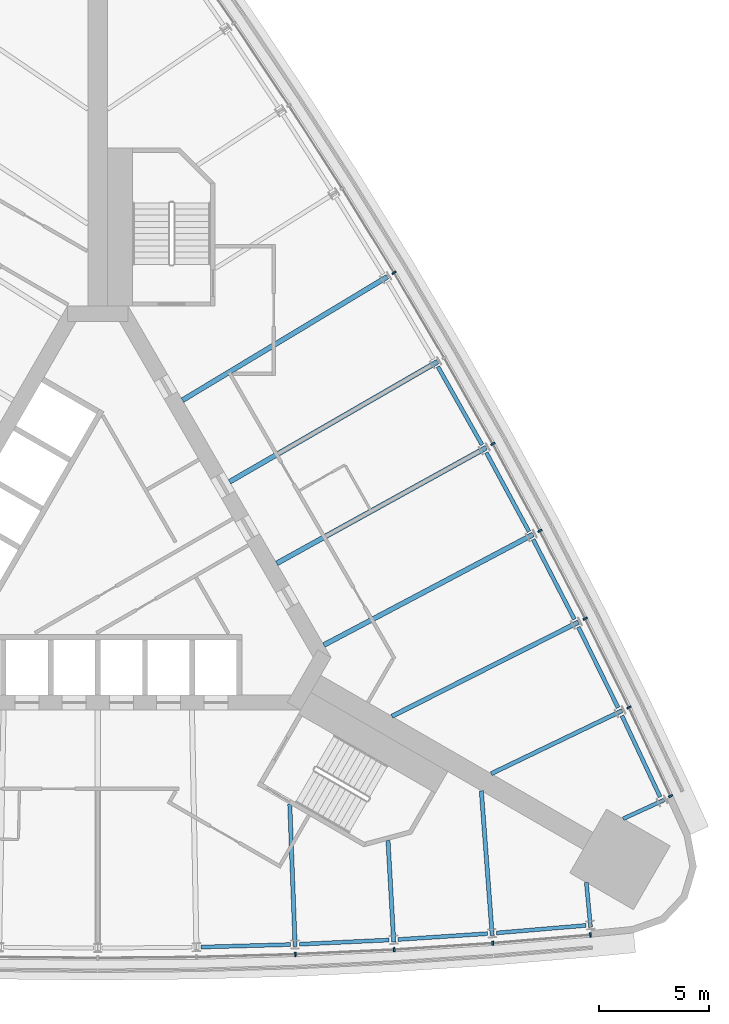
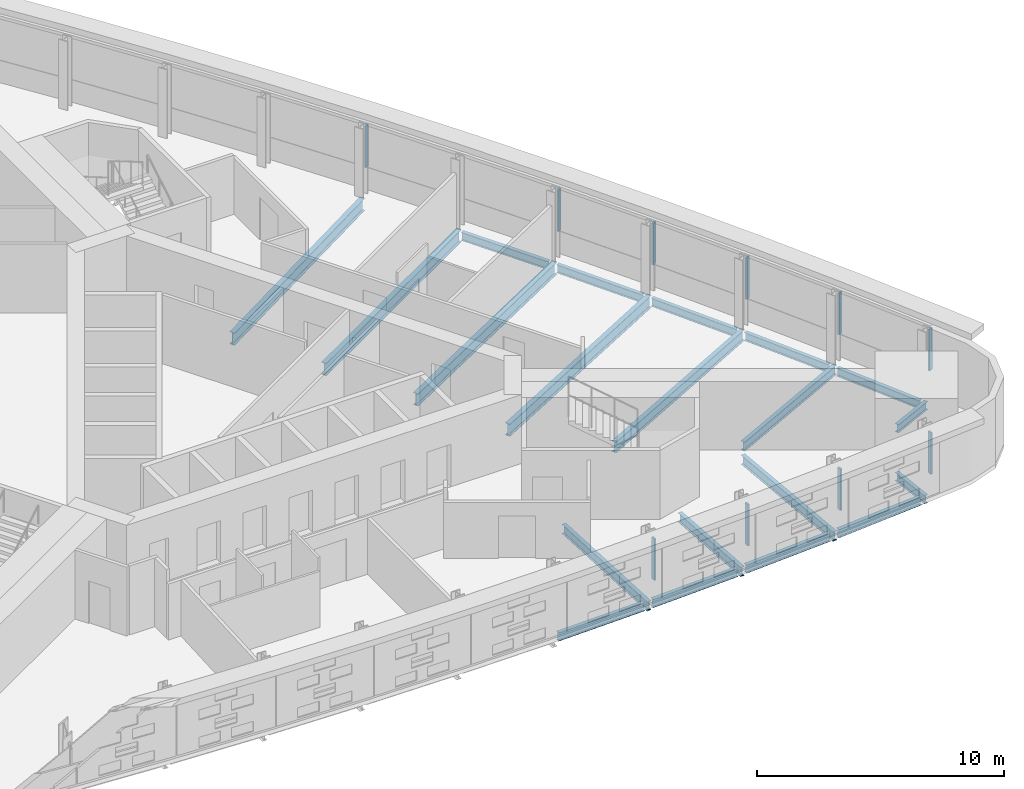
# One storey, part 6 of 14: 20 beams, 10 members, 2 elements without a shape of their own.
"""IFC4 building model written with IfcOpenShell, lengths in metres."""

from ifc_helpers import new_model, si_unit, direction, frame, origin, origin_2d, place, context, subcontext, project, spatial, rectangle, i_section, extrude, material, material_profile, profile_set, type_object, element, aggregate, save


model = new_model("IFC4")

# Units and contexts
model_context = context("Model", 3, precision=1e-05, world=origin(), true_north=direction((0.0, 1.0)))
body_context = subcontext(model_context, "Body", "Model", "MODEL_VIEW")
ifc_project = project(units=[si_unit("LENGTHUNIT", "METRE"), si_unit("AREAUNIT", "SQUARE_METRE"), si_unit("VOLUMEUNIT", "CUBIC_METRE"), si_unit("PLANEANGLEUNIT", "RADIAN"), si_unit("MASSUNIT", "GRAM", prefix="KILO")], contexts=[model_context])

# Site, building, storey
site_placement = place(None, origin())
site = spatial("IfcSite", under=ifc_project, at=site_placement, CompositionType="ELEMENT")
building_placement = place(site_placement, origin())
building = spatial("IfcBuilding", under=site, at=building_placement, Name="Noor Cloister Tower", CompositionType="ELEMENT")
storey_placement = place(building_placement, frame((0.0, 0.0, 38.39990234375)))
storey = spatial("IfcBuildingStorey", under=building, at=storey_placement, Name="L09", CompositionType="ELEMENT", Elevation=38.39990234375)

# Curtain wall, members
ifc_material_1 = material(Name="Aluminium 6063-T6 anodised", Category="aluminium")
curtain_wall_type = type_object("IfcCurtainWallType", Name="Ribbon curtain wall, lower tower CW1", PredefinedType="NOTDEFINED", material=ifc_material_1)
curtain_wall_1_placement = place(storey_placement, origin())
curtain_wall_1 = element("IfcCurtainWall", 1, at=curtain_wall_1_placement, inside=storey, type_object=curtain_wall_type, Name="CW1 L09 S run 2", PredefinedType="NOTDEFINED")
ifc_material_2 = material(Name="Aluminium 6063-T6 anodised", Category="aluminium")
ifc_material_profile_1 = material_profile(ifc_material_2, rectangle(XDim=0.199951171875, YDim=0.080078125, at=origin_2d()), Name="200 x 80 mullion")
ifc_profile_set_1 = profile_set([ifc_material_profile_1], Name="Aluminium 6063-T6 anodised")
member_type = type_object("IfcMemberType", Name="Mullion CW1 80 x 200", PredefinedType="MULLION", material=ifc_profile_set_1)
member_1_placement = place(storey_placement, frame((8.994140625, -18.038330078125, 1.10009765625), z_axis=(0.0, 0.0, 1.0), x_axis=(-0.037446096272, 0.99929864899, 0.0)))
member_1 = element("IfcMember", 2, at=member_1_placement, type_object=member_type, Name="CW1 mullion 8", PredefinedType="MULLION", context=body_context, shape_type="SweptSolid", body=[
    extrude(rectangle(XDim=0.199951171875, YDim=0.080078125, at=origin_2d()), origin(), (0.0, 0.0, 1.0), 2.050048828125),
])
member_2_placement = place(storey_placement, frame((13.4873046875, -17.827880859375, 1.10009765625), z_axis=(0.0, 0.0, 1.0), x_axis=(-0.056152719394, 0.998422191312, 0.0)))
member_2 = element("IfcMember", 3, at=member_2_placement, type_object=member_type, Name="CW1 mullion 9", PredefinedType="MULLION", context=body_context, shape_type="SweptSolid", body=[
    extrude(rectangle(XDim=0.199951171875, YDim=0.080078125, at=origin_2d()), origin(), (0.0, 0.0, 1.0), 2.050048828125),
])
member_3_placement = place(storey_placement, frame((17.9755859375, -17.533203125, 1.10009765625), z_axis=(0.0, 0.0, 1.0), x_axis=(-0.074839666829, 0.997195579748, 0.0)))
member_3 = element("IfcMember", 4, at=member_3_placement, type_object=member_type, Name="CW1 mullion 10", PredefinedType="MULLION", context=body_context, shape_type="SweptSolid", body=[
    extrude(rectangle(XDim=0.199951171875, YDim=0.080078125, at=origin_2d()), origin(), (0.0, 0.0, 1.0), 2.050048828125),
])
member_4_placement = place(storey_placement, frame((22.4189453125, -17.157958984375, 1.10009765625), z_axis=(0.0, 0.0, 1.0), x_axis=(-0.084173698584, 0.996451096877, 0.0)))
member_4 = element("IfcMember", 5, at=member_4_placement, type_object=member_type, Name="CW1 mullion 11", PredefinedType="MULLION", context=body_context, shape_type="SweptSolid", body=[
    extrude(rectangle(XDim=0.199951171875, YDim=0.080078125, at=origin_2d()), origin(), (0.0, 0.0, 1.0), 2.050048828125),
])
aggregate(curtain_wall_1, [member_1, member_2, member_3, member_4])

curtain_wall_2_placement = place(storey_placement, origin())
curtain_wall_2 = element("IfcCurtainWall", 6, at=curtain_wall_2_placement, inside=storey, type_object=curtain_wall_type, Name="CW1 L09 NE run 3", PredefinedType="NOTDEFINED")
member_5_placement = place(storey_placement, frame((26.068603515625, -10.83642578125, 1.10009765625), z_axis=(0.0, 0.0, 1.0), x_axis=(-0.905038812816, -0.425328987134, 0.0)))
member_5 = element("IfcMember", 7, at=member_5_placement, type_object=member_type, Name="CW1 mullion 1", PredefinedType="MULLION", context=body_context, shape_type="SweptSolid", body=[
    extrude(rectangle(XDim=0.199951171875, YDim=0.080078125, at=origin_2d()), origin(), (0.0, 0.0, 1.0), 2.050048828125),
])
member_6_placement = place(storey_placement, frame((24.172119140625, -6.80078125, 1.10009765625), z_axis=(0.0, 0.0, 1.0), x_axis=(-0.901016538018, -0.43378473719, 0.0)))
member_6 = element("IfcMember", 8, at=member_6_placement, type_object=member_type, Name="CW1 mullion 2", PredefinedType="MULLION", context=body_context, shape_type="SweptSolid", body=[
    extrude(rectangle(XDim=0.199951171875, YDim=0.080078125, at=origin_2d()), origin(), (0.0, 0.0, 1.0), 2.050048828125),
])
member_7_placement = place(storey_placement, frame((22.18310546875, -2.766357421875, 1.10009765625), z_axis=(0.0, 0.0, 1.0), x_axis=(-0.892735341075, -0.450581414169, 0.0)))
member_7 = element("IfcMember", 9, at=member_7_placement, type_object=member_type, Name="CW1 mullion 3", PredefinedType="MULLION", context=body_context, shape_type="SweptSolid", body=[
    extrude(rectangle(XDim=0.199951171875, YDim=0.080078125, at=origin_2d()), origin(), (0.0, 0.0, 1.0), 2.050048828125),
])
member_8_placement = place(storey_placement, frame((20.11865234375, 1.22998046875, 1.10009765625), z_axis=(0.0, 0.0, 1.0), x_axis=(-0.884141064129, -0.467220053851, 0.0)))
member_8 = element("IfcMember", 10, at=member_8_placement, type_object=member_type, Name="CW1 mullion 4", PredefinedType="MULLION", context=body_context, shape_type="SweptSolid", body=[
    extrude(rectangle(XDim=0.199951171875, YDim=0.080078125, at=origin_2d()), origin(), (0.0, 0.0, 1.0), 2.050048828125),
])
member_9_placement = place(storey_placement, frame((17.97998046875, 5.18701171875, 1.10009765625), z_axis=(0.0, 0.0, 1.0), x_axis=(-0.875236705229, -0.483694851967, 0.0)))
member_9 = element("IfcMember", 11, at=member_9_placement, type_object=member_type, Name="CW1 mullion 5", PredefinedType="MULLION", context=body_context, shape_type="SweptSolid", body=[
    extrude(rectangle(XDim=0.199951171875, YDim=0.080078125, at=origin_2d()), origin(), (0.0, 0.0, 1.0), 2.050048828125),
])
member_10_placement = place(storey_placement, frame((13.482177734375, 12.9775390625, 1.10009765625), z_axis=(0.0, 0.0, 1.0), x_axis=(-0.856510382098, -0.51612979507, 0.0)))
member_10 = element("IfcMember", 12, at=member_10_placement, type_object=member_type, Name="CW1 mullion 7", PredefinedType="MULLION", context=body_context, shape_type="SweptSolid", body=[
    extrude(rectangle(XDim=0.199951171875, YDim=0.080078125, at=origin_2d()), origin(), (0.0, 0.0, 1.0), 2.050048828125),
])
aggregate(curtain_wall_2, [member_5, member_6, member_7, member_8, member_9, member_10])

# Beams
ifc_material_3 = material(Name="Steel ASTM A992 Gr 50", Category="steel")
ifc_material_profile_2 = material_profile(ifc_material_3, i_section(OverallWidth=0.177978515625, OverallDepth=0.406005859375, WebThickness=0.0078125, FlangeThickness=0.0126953125, FilletRadius=0.01025390625, at=origin_2d()), Name="W410x60")
ifc_profile_set_2 = profile_set([ifc_material_profile_2], Name="Steel ASTM A992 Gr 50")
beam_type_1 = type_object("IfcBeamType", Name="Radial beam W410x60", PredefinedType="BEAM", material=ifc_profile_set_2)
for number, where, z_axis, x_axis, name in (
    (13, (22.4248046875, -16.80322265625, -0.40283203125), (-0.093533376396, 0.995616144656, 0.0), (-0.995616144656, -0.093533376396, 0.0), "Radial beam S 11 L09"),
    (14, (25.764404296875, -11.018798828125, -0.40283203125), (-0.908989304817, -0.416819437801, 0.0), (0.416819437801, -0.908989304817, 0.0), "Radial beam NE 01 L09"),
):
    element("IfcBeam", number, at=place(storey_placement, frame(where, z_axis=z_axis, x_axis=x_axis)), inside=storey, type_object=beam_type_1, Name=name, PredefinedType="BEAM", context=body_context, shape_type="SweptSolid", body=[
        extrude(i_section(OverallWidth=0.177978515625, OverallDepth=0.406005859375, WebThickness=0.0078125, FlangeThickness=0.0126953125, FilletRadius=0.01025390625, at=origin_2d()), origin(), (0.0, 0.0, 1.0), 2.041259765625),
    ])
ifc_material_4 = material(Name="Steel ASTM A992 Gr 50", Category="steel")
ifc_material_profile_3 = material_profile(ifc_material_4, i_section(OverallWidth=0.19091796875, OverallDepth=0.45703125, WebThickness=0.009033203125, FlangeThickness=0.014404296875, FilletRadius=0.01025390625, at=origin_2d()), Name="W460x74")
ifc_profile_set_3 = profile_set([ifc_material_profile_3], Name="Steel ASTM A992 Gr 50")
beam_type_2 = type_object("IfcBeamType", Name="Radial beam W460x74", PredefinedType="BEAM", material=ifc_profile_set_3)
beam_1_placement = place(storey_placement, frame((8.98095703125, -17.685546875, -0.428466796875), z_axis=(-0.037464260675, 0.999297968162, 0.0), x_axis=(-0.999297968162, -0.037464260675, 0.0)))
element("IfcBeam", 15, at=beam_1_placement, inside=storey, type_object=beam_type_2, Name="Radial beam S 08 L09", PredefinedType="BEAM", context=body_context, shape_type="SweptSolid", body=[
    extrude(i_section(OverallWidth=0.19091796875, OverallDepth=0.45703125, WebThickness=0.009033203125, FlangeThickness=0.014404296875, FilletRadius=0.01025390625, at=origin_2d()), origin(), (0.0, 0.0, 1.0), 6.484130859375),
])
beam_2_placement = place(storey_placement, frame((13.467529296875, -17.475341796875, -0.428466796875), z_axis=(-0.05616516418, 0.998421491321, 0.0), x_axis=(-0.998421491321, -0.05616516418, 0.0)))
element("IfcBeam", 16, at=beam_2_placement, inside=storey, type_object=beam_type_2, Name="Radial beam S 09 L09", PredefinedType="BEAM", context=body_context, shape_type="SweptSolid", body=[
    extrude(i_section(OverallWidth=0.19091796875, OverallDepth=0.45703125, WebThickness=0.009033203125, FlangeThickness=0.014404296875, FilletRadius=0.01025390625, at=origin_2d()), origin(), (0.0, 0.0, 1.0), 4.62939453125),
])
beam_3_placement = place(storey_placement, frame((17.94921875, -17.18115234375, -0.428466796875), z_axis=(-0.074844186113, 0.997195240565, 0.0), x_axis=(-0.997195240565, -0.074844186113, 0.0)))
element("IfcBeam", 17, at=beam_3_placement, inside=storey, type_object=beam_type_2, Name="Radial beam S 10 L09", PredefinedType="BEAM", context=body_context, shape_type="SweptSolid", body=[
    extrude(i_section(OverallWidth=0.19091796875, OverallDepth=0.45703125, WebThickness=0.009033203125, FlangeThickness=0.014404296875, FilletRadius=0.01025390625, at=origin_2d()), origin(), (0.0, 0.0, 1.0), 6.602294921875),
])
beam_4_placement = place(storey_placement, frame((23.85400390625, -6.953857421875, -0.428466796875), z_axis=(-0.901019869253, -0.433777817795, 0.0), x_axis=(0.433777817795, -0.901019869253, 0.0)))
element("IfcBeam", 18, at=beam_4_placement, inside=storey, type_object=beam_type_2, Name="Radial beam NE 02 L09", PredefinedType="BEAM", context=body_context, shape_type="SweptSolid", body=[
    extrude(i_section(OverallWidth=0.19091796875, OverallDepth=0.45703125, WebThickness=0.009033203125, FlangeThickness=0.014404296875, FilletRadius=0.01025390625, at=origin_2d()), origin(), (0.0, 0.0, 1.0), 6.6025390625),
])
ifc_material_5 = material(Name="Steel ASTM A992 Gr 50", Category="steel")
ifc_material_profile_4 = material_profile(ifc_material_5, i_section(OverallWidth=0.208984375, OverallDepth=0.532958984375, WebThickness=0.01025390625, FlangeThickness=0.015625, FilletRadius=0.0126953125, at=origin_2d()), Name="W530x92")
ifc_profile_set_4 = profile_set([ifc_material_profile_4], Name="Steel ASTM A992 Gr 50")
beam_type_3 = type_object("IfcBeamType", Name="Radial beam W530x92", PredefinedType="BEAM", material=ifc_profile_set_4)
beam_5_placement = place(storey_placement, frame((21.867919921875, -2.925537109375, -0.46630859375), z_axis=(-0.89274077649, -0.450570644841, 0.0), x_axis=(0.450570644841, -0.89274077649, 0.0)))
element("IfcBeam", 19, at=beam_5_placement, inside=storey, type_object=beam_type_3, Name="Radial beam NE 03 L09", PredefinedType="BEAM", context=body_context, shape_type="SweptSolid", body=[
    extrude(i_section(OverallWidth=0.208984375, OverallDepth=0.532958984375, WebThickness=0.01025390625, FlangeThickness=0.015625, FilletRadius=0.0126953125, at=origin_2d()), origin(), (0.0, 0.0, 1.0), 9.50341796875),
])
ifc_material_6 = material(Name="Steel ASTM A992 Gr 50", Category="steel")
ifc_material_profile_5 = material_profile(ifc_material_6, i_section(OverallWidth=0.22802734375, OverallDepth=0.60205078125, WebThickness=0.010498046875, FlangeThickness=0.014892578125, FilletRadius=0.0126953125, at=origin_2d()), Name="W610x101")
ifc_profile_set_5 = profile_set([ifc_material_profile_5], Name="Steel ASTM A992 Gr 50")
beam_type_4 = type_object("IfcBeamType", Name="Radial beam W610x101", PredefinedType="BEAM", material=ifc_profile_set_5)
beam_6_placement = place(storey_placement, frame((19.806640625, 1.065185546875, -0.5009765625), z_axis=(-0.884135761782, -0.467230087578, 0.0), x_axis=(0.467230087578, -0.884135761782, 0.0)))
element("IfcBeam", 20, at=beam_6_placement, inside=storey, type_object=beam_type_4, Name="Radial beam NE 04 L09", PredefinedType="BEAM", context=body_context, shape_type="SweptSolid", body=[
    extrude(i_section(OverallWidth=0.22802734375, OverallDepth=0.60205078125, WebThickness=0.010498046875, FlangeThickness=0.014892578125, FilletRadius=0.0126953125, at=origin_2d()), origin(), (0.0, 0.0, 1.0), 10.76513671875),
])
ifc_material_7 = material(Name="Steel ASTM A992 Gr 50", Category="steel")
ifc_material_profile_6 = material_profile(ifc_material_7, i_section(OverallWidth=0.22900390625, OverallDepth=0.612060546875, WebThickness=0.011962890625, FlangeThickness=0.01953125, FilletRadius=0.0126953125, at=origin_2d()), Name="W610x125")
ifc_profile_set_6 = profile_set([ifc_material_profile_6], Name="Steel ASTM A992 Gr 50")
beam_type_5 = type_object("IfcBeamType", Name="Radial beam W610x125", PredefinedType="BEAM", material=ifc_profile_set_6)
beam_7_placement = place(storey_placement, frame((17.671142578125, 5.016357421875, -0.505859375), z_axis=(-0.875231041062, -0.48370510103, 0.0), x_axis=(0.48370510103, -0.875231041062, 0.0)))
element("IfcBeam", 21, at=beam_7_placement, inside=storey, type_object=beam_type_5, Name="Radial beam NE 05 L09", PredefinedType="BEAM", context=body_context, shape_type="SweptSolid", body=[
    extrude(i_section(OverallWidth=0.22900390625, OverallDepth=0.612060546875, WebThickness=0.011962890625, FlangeThickness=0.01953125, FilletRadius=0.0126953125, at=origin_2d()), origin(), (0.0, 0.0, 1.0), 10.885498046875),
])
beam_8_placement = place(storey_placement, frame((15.4619140625, 8.927001953125, -0.505859375), z_axis=(-0.866023343127, -0.500003569146, 0.0), x_axis=(0.500003569146, -0.866023343127, 0.0)))
element("IfcBeam", 22, at=beam_8_placement, inside=storey, type_object=beam_type_5, Name="Radial beam NE 06 L09", PredefinedType="BEAM", context=body_context, shape_type="SweptSolid", body=[
    extrude(i_section(OverallWidth=0.22900390625, OverallDepth=0.612060546875, WebThickness=0.011962890625, FlangeThickness=0.01953125, FilletRadius=0.0126953125, at=origin_2d()), origin(), (0.0, 0.0, 1.0), 10.92578125),
])
beam_9_placement = place(storey_placement, frame((13.1796875, 12.79541015625, -0.505859375), z_axis=(-0.856505836488, -0.516137338372, 0.0), x_axis=(0.516137338372, -0.856505836488, 0.0)))
element("IfcBeam", 23, at=beam_9_placement, inside=storey, type_object=beam_type_5, Name="Radial beam NE 07 L09", PredefinedType="BEAM", context=body_context, shape_type="SweptSolid", body=[
    extrude(i_section(OverallWidth=0.22900390625, OverallDepth=0.612060546875, WebThickness=0.011962890625, FlangeThickness=0.01953125, FilletRadius=0.0126953125, at=origin_2d()), origin(), (0.0, 0.0, 1.0), 10.885498046875),
])
ifc_material_8 = material(Name="Steel ASTM A992 Gr 50", Category="steel")
ifc_material_profile_7 = material_profile(ifc_material_8, i_section(OverallWidth=0.177978515625, OverallDepth=0.406005859375, WebThickness=0.0078125, FlangeThickness=0.0126953125, FilletRadius=0.01025390625, at=origin_2d()), Name="W410x60")
ifc_profile_set_7 = profile_set([ifc_material_profile_7], Name="Steel ASTM A992 Gr 50")
beam_type_6 = type_object("IfcBeamType", Name="Spandrel beam W410x60", PredefinedType="SPANDREL", material=ifc_profile_set_7)
beam_10_placement = place(storey_placement, frame((4.69140625, -17.708984375, -0.40283203125), z_axis=(0.999605523948, 0.028085521058, 0.0), x_axis=(-0.028085521058, 0.999605523948, 0.0)))
element("IfcBeam", 24, at=beam_10_placement, inside=storey, type_object=beam_type_6, Name="Spandrel beam S 07 L09", PredefinedType="SPANDREL", context=body_context, shape_type="SweptSolid", body=[
    extrude(i_section(OverallWidth=0.177978515625, OverallDepth=0.406005859375, WebThickness=0.0078125, FlangeThickness=0.0126953125, FilletRadius=0.01025390625, at=origin_2d()), origin(), (0.0, 0.0, 1.0), 4.085693359375),
])
beam_11_placement = place(storey_placement, frame((9.17919921875, -17.5791015625, -0.40283203125), z_axis=(0.998904745987, 0.046790046429, 0.0), x_axis=(-0.046790046429, 0.998904745987, 0.0)))
element("IfcBeam", 25, at=beam_11_placement, inside=storey, type_object=beam_type_6, Name="Spandrel beam S 08 L09", PredefinedType="SPANDREL", context=body_context, shape_type="SweptSolid", body=[
    extrude(i_section(OverallWidth=0.177978515625, OverallDepth=0.406005859375, WebThickness=0.0078125, FlangeThickness=0.0126953125, FilletRadius=0.01025390625, at=origin_2d()), origin(), (0.0, 0.0, 1.0), 4.08544921875),
])
beam_12_placement = place(storey_placement, frame((13.66357421875, -17.365234375, -0.40283203125), z_axis=(0.997853109694, 0.065491766467, 0.0), x_axis=(-0.065491766467, 0.997853109694, 0.0)))
element("IfcBeam", 26, at=beam_12_placement, inside=storey, type_object=beam_type_6, Name="Spandrel beam S 09 L09", PredefinedType="SPANDREL", context=body_context, shape_type="SweptSolid", body=[
    extrude(i_section(OverallWidth=0.177978515625, OverallDepth=0.406005859375, WebThickness=0.0078125, FlangeThickness=0.0126953125, FilletRadius=0.01025390625, at=origin_2d()), origin(), (0.0, 0.0, 1.0), 4.085693359375),
])
beam_13_placement = place(storey_placement, frame((18.143310546875, -17.0673828125, -0.40283203125), z_axis=(0.996454080445, 0.08413837153, 0.0), x_axis=(-0.08413837153, 0.996454080445, 0.0)))
element("IfcBeam", 27, at=beam_13_placement, inside=storey, type_object=beam_type_6, Name="Spandrel beam S 10 L09", PredefinedType="SPANDREL", context=body_context, shape_type="SweptSolid", body=[
    extrude(i_section(OverallWidth=0.177978515625, OverallDepth=0.406005859375, WebThickness=0.0078125, FlangeThickness=0.0126953125, FilletRadius=0.01025390625, at=origin_2d()), origin(), (0.0, 0.0, 1.0), 4.08544921875),
])
beam_14_placement = place(storey_placement, frame((25.59033203125, -10.87646484375, -0.40283203125), z_axis=(-0.425330795052, 0.905037963171, 0.0), x_axis=(-0.905037963171, -0.425330795052, 0.0)))
element("IfcBeam", 28, at=beam_14_placement, inside=storey, type_object=beam_type_6, Name="Spandrel beam NE 01 L09", PredefinedType="SPANDREL", context=body_context, shape_type="SweptSolid", body=[
    extrude(i_section(OverallWidth=0.177978515625, OverallDepth=0.406005859375, WebThickness=0.0078125, FlangeThickness=0.0126953125, FilletRadius=0.01025390625, at=origin_2d()), origin(), (0.0, 0.0, 1.0), 4.085693359375),
])
beam_15_placement = place(storey_placement, frame((23.67724609375, -6.814697265625, -0.40283203125), z_axis=(-0.442210832263, 0.896911132626, 0.0), x_axis=(-0.896911132626, -0.442210832263, 0.0)))
element("IfcBeam", 29, at=beam_15_placement, inside=storey, type_object=beam_type_6, Name="Spandrel beam NE 02 L09", PredefinedType="SPANDREL", context=body_context, shape_type="SweptSolid", body=[
    extrude(i_section(OverallWidth=0.177978515625, OverallDepth=0.406005859375, WebThickness=0.0078125, FlangeThickness=0.0126953125, FilletRadius=0.01025390625, at=origin_2d()), origin(), (0.0, 0.0, 1.0), 4.08544921875),
])
for number, where, z_axis, x_axis, name in (
    (30, (21.6884765625, -2.789794921875, -0.40283203125), (-0.458910785429, 0.888482352676, 0.0), (-0.888482352676, -0.458910785429, 0.0), "Spandrel beam NE 03 L09"),
    (31, (19.624755859375, 1.197509765625, -0.40283203125), (-0.475478288793, 0.879727456027, 0.0), (-0.879727456027, -0.475478288793, 0.0), "Spandrel beam NE 04 L09"),
    (32, (17.48681640625, 5.145263671875, -0.40283203125), (-0.491840652179, 0.870685231794, 0.0), (-0.870685231794, -0.491840652179, 0.0), "Spandrel beam NE 05 L09"),
):
    element("IfcBeam", number, at=place(storey_placement, frame(where, z_axis=z_axis, x_axis=x_axis)), inside=storey, type_object=beam_type_6, Name=name, PredefinedType="SPANDREL", context=body_context, shape_type="SweptSolid", body=[
        extrude(i_section(OverallWidth=0.177978515625, OverallDepth=0.406005859375, WebThickness=0.0078125, FlangeThickness=0.0126953125, FilletRadius=0.01025390625, at=origin_2d()), origin(), (0.0, 0.0, 1.0), 4.085693359375),
    ])

save(model, "model.ifc")
